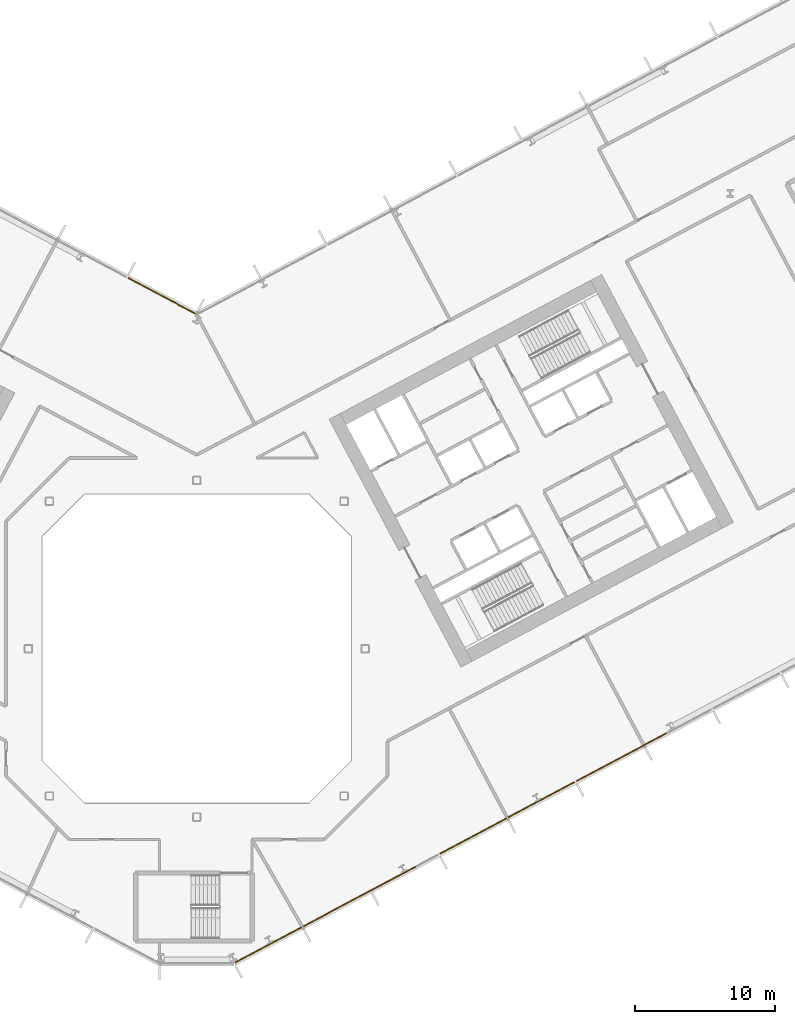
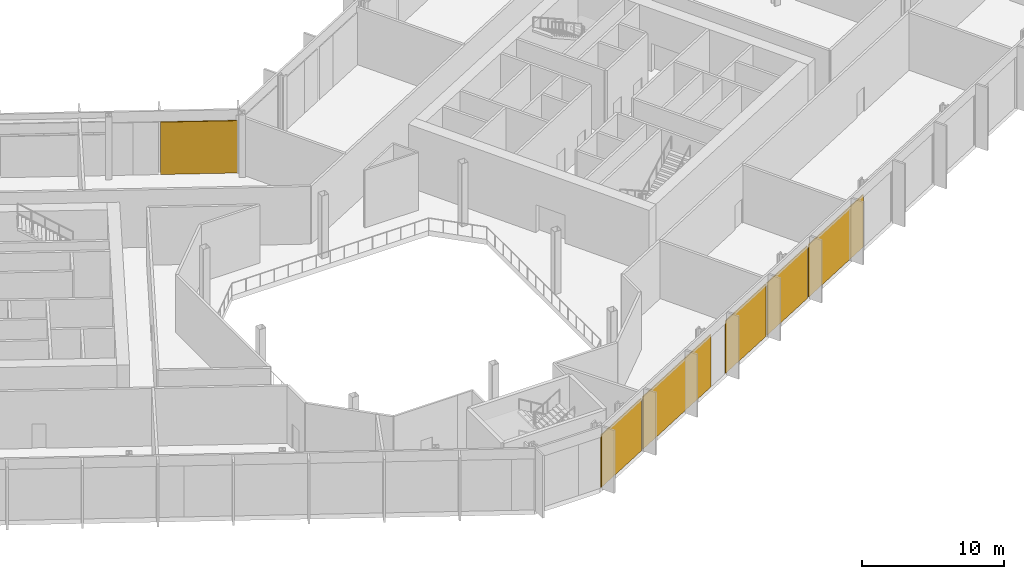
# One storey, part 26 of 32: 6 coverings, 2 elements without a shape of their own.
"""IFC4 building model written with IfcOpenShell, lengths in metres."""

from ifc_helpers import new_model, si_unit, direction, frame, origin, origin_2d, place, context, subcontext, project, spatial, rectangle, extrude, material, layer, layer_set, type_object, element, aggregate, save


model = new_model("IFC4")

# Units and contexts
model_context = context("Model", 3, precision=1e-05, world=origin(), true_north=direction((0.0, 1.0)))
body_context = subcontext(model_context, "Body", "Model", "MODEL_VIEW")
ifc_project = project(units=[si_unit("LENGTHUNIT", "METRE"), si_unit("AREAUNIT", "SQUARE_METRE"), si_unit("VOLUMEUNIT", "CUBIC_METRE"), si_unit("PLANEANGLEUNIT", "RADIAN"), si_unit("MASSUNIT", "GRAM", prefix="KILO")], contexts=[model_context])

# Site, building, storey
site_placement = place(None, origin())
site = spatial("IfcSite", under=ifc_project, at=site_placement, CompositionType="ELEMENT")
building_placement = place(site_placement, origin())
building = spatial("IfcBuilding", under=site, at=building_placement, Name="Cormorant Relay Tower", CompositionType="ELEMENT")
storey_placement = place(building_placement, frame((0.0, 0.0, 28.39990234375)))
storey = spatial("IfcBuildingStorey", under=building, at=storey_placement, Name="L05", CompositionType="ELEMENT", Elevation=28.39990234375)

# Curtain wall, coverings
ifc_material_1 = material(Name="Aluminium 6063-T6 anodised bronze", Category="aluminium")
ifc_layer_1 = layer(ifc_material_1, 0.235107421875)
ifc_layer_set_1 = layer_set([ifc_layer_1], Name="CW6 data hall curtain wall with mineral wool panels")
curtain_wall_type = type_object("IfcCurtainWallType", Name="CW6 data hall curtain wall with mineral wool panels", PredefinedType="NOTDEFINED", material=ifc_layer_set_1)
curtain_wall_1_placement = place(storey_placement, origin())
curtain_wall_1 = element("IfcCurtainWall", 1, at=curtain_wall_1_placement, inside=storey, type_object=curtain_wall_type, Name="CW6 curtain wall 2", PredefinedType="NOTDEFINED")
ifc_material_2 = material(Name="Mineral wool cored anodised bronze aluminium cassette panel", Category="aluminium")
ifc_layer_2 = layer(ifc_material_2, 0.074951171875)
ifc_layer_set_2 = layer_set([ifc_layer_2], Name="CW6 mineral wool cassette panel 75")
covering_type = type_object("IfcCoveringType", Name="CW6 mineral wool cassette panel 75", PredefinedType="CLADDING", material=ifc_layer_set_2)
covering_1_placement = place(storey_placement, frame((5.099853515625, -21.11474609375, 0.0), z_axis=(0.0, 0.0, 1.0), x_axis=(0.882947592859, 0.469471562786, 0.0)))
covering_1 = element("IfcCovering", 2, at=covering_1_placement, type_object=covering_type, Name="CW6 panel S00", PredefinedType="CLADDING", context=body_context, shape_type="SweptSolid", body=[
    extrude(rectangle(XDim=5.36181640625, YDim=0.074951171875, at=origin_2d()), origin(), (0.0, 0.0, 1.0), 4.5),
])
covering_2_placement = place(storey_placement, frame((11.60498046875, -17.656005859375, 0.0), z_axis=(0.0, 0.0, 1.0), x_axis=(0.882947592859, 0.469471562786, 0.0)))
covering_2 = element("IfcCovering", 3, at=covering_2_placement, type_object=covering_type, Name="CW6 panel S01", PredefinedType="CLADDING", context=body_context, shape_type="SweptSolid", body=[
    extrude(rectangle(XDim=9.07373046875, YDim=0.074951171875, at=origin_2d()), origin(), (0.0, 0.0, 1.0), 4.5),
])
covering_3_placement = place(storey_placement, frame((19.69970703125, -13.351806640625, 0.0), z_axis=(0.0, 0.0, 1.0), x_axis=(0.882947592859, 0.469471562786, 0.0)))
covering_3 = element("IfcCovering", 4, at=covering_3_placement, type_object=covering_type, Name="CW6 panel S03", PredefinedType="CLADDING", context=body_context, shape_type="SweptSolid", body=[
    extrude(rectangle(XDim=5.36181640625, YDim=0.074951171875, at=origin_2d()), origin(), (0.0, 0.0, 1.0), 4.5),
])
covering_4_placement = place(storey_placement, frame((24.56640625, -10.76416015625, 0.0), z_axis=(0.0, 0.0, 1.0), x_axis=(0.882947592859, 0.469471562786, 0.0)))
covering_4 = element("IfcCovering", 5, at=covering_4_placement, type_object=covering_type, Name="CW6 panel S04", PredefinedType="CLADDING", context=body_context, shape_type="SweptSolid", body=[
    extrude(rectangle(XDim=5.36181640625, YDim=0.074951171875, at=origin_2d()), origin(), (0.0, 0.0, 1.0), 4.5),
])
covering_5_placement = place(storey_placement, frame((30.277099609375, -7.727783203125, 0.0), z_axis=(0.0, 0.0, 1.0), x_axis=(0.882947592859, 0.469471562786, 0.0)))
covering_5 = element("IfcCovering", 6, at=covering_5_placement, type_object=covering_type, Name="CW6 panel S05", PredefinedType="CLADDING", context=body_context, shape_type="SweptSolid", body=[
    extrude(rectangle(XDim=7.273681640625, YDim=0.074951171875, at=origin_2d()), origin(), (0.0, 0.0, 1.0), 4.5),
])
aggregate(curtain_wall_1, [covering_1, covering_2, covering_3, covering_4, covering_5])

# Curtain wall, covering
curtain_wall_2_placement = place(storey_placement, origin())
curtain_wall_2 = element("IfcCurtainWall", 7, at=curtain_wall_2_placement, inside=storey, type_object=curtain_wall_type, Name="CW6 curtain wall 7", PredefinedType="NOTDEFINED")
covering_6_placement = place(storey_placement, frame((-2.5048828125, 25.158447265625, 0.0), z_axis=(0.0, 0.0, 1.0), x_axis=(-0.882947592859, 0.469471562786, 0.0)))
covering_6 = element("IfcCovering", 8, at=covering_6_placement, type_object=covering_type, Name="CW6 panel S00", PredefinedType="CLADDING", context=body_context, shape_type="SweptSolid", body=[
    extrude(rectangle(XDim=5.4140625, YDim=0.074951171875, at=origin_2d()), origin(), (0.0, 0.0, 1.0), 4.5),
])
aggregate(curtain_wall_2, [covering_6])

save(model, "model.ifc")
